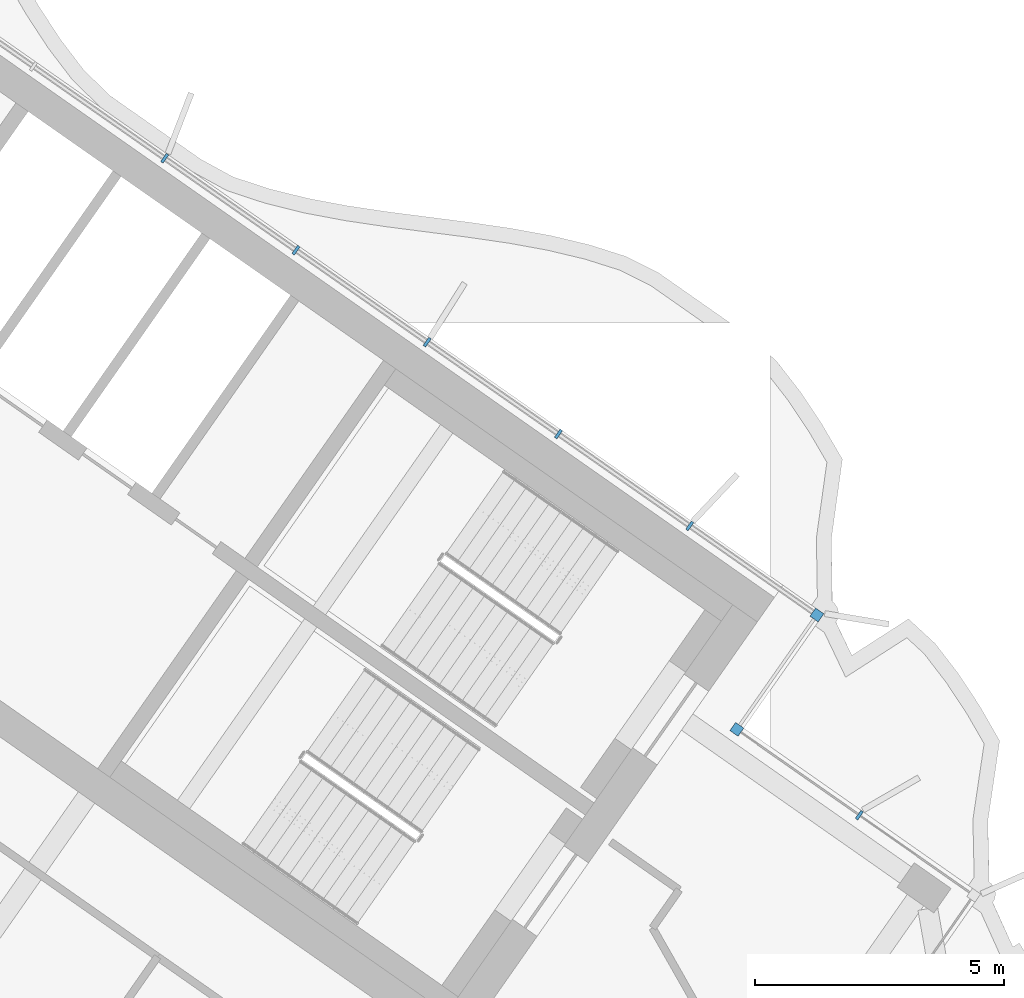
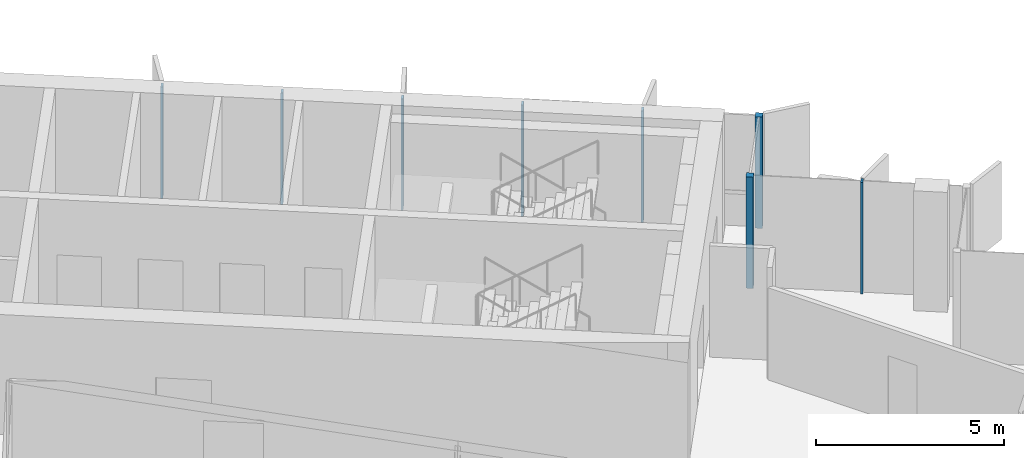
# One storey, part 6 of 19: 8 members, 2 elements without a shape of their own.
"""IFC4 building model written with IfcOpenShell, lengths in metres."""

from ifc_helpers import new_model, si_unit, direction, frame, origin, origin_2d, place, context, subcontext, project, spatial, rectangle, extrude, material, material_profile, profile_set, type_object, element, aggregate, save


model = new_model("IFC4")

# Units and contexts
model_context = context("Model", 3, precision=1e-05, world=origin(), true_north=direction((0.0, 1.0)))
body_context = subcontext(model_context, "Body", "Model", "MODEL_VIEW")
ifc_project = project(units=[si_unit("LENGTHUNIT", "METRE"), si_unit("AREAUNIT", "SQUARE_METRE"), si_unit("VOLUMEUNIT", "CUBIC_METRE"), si_unit("PLANEANGLEUNIT", "RADIAN"), si_unit("MASSUNIT", "GRAM", prefix="KILO")], contexts=[model_context])

# Site, building, storey
site_placement = place(None, origin())
site = spatial("IfcSite", under=ifc_project, at=site_placement, CompositionType="ELEMENT")
building_placement = place(site_placement, origin())
building = spatial("IfcBuilding", under=site, at=building_placement, Name="Tel Ilan Convention Tower", CompositionType="ELEMENT")
storey_placement = place(building_placement, frame((0.0, 0.0, 241.0)))
storey = spatial("IfcBuildingStorey", under=building, at=storey_placement, Name="L56", CompositionType="ELEMENT", Elevation=241.0)

# Curtain wall, members
ifc_material_1 = material(Name="Aluminium, bronze anodised", Category="aluminium")
curtain_wall_type_1 = type_object("IfcCurtainWallType", Name="CW2 STICK CURTAIN WALL, SPANDREL PANELS", PredefinedType="NOTDEFINED", material=ifc_material_1)
curtain_wall_1_placement = place(storey_placement, origin())
curtain_wall_1 = element("IfcCurtainWall", 1, at=curtain_wall_1_placement, inside=storey, type_object=curtain_wall_type_1, Name="Curtain wall CW2-43.01", PredefinedType="NOTDEFINED")
ifc_material_2 = material(Name="Aluminium, bronze anodised", Category="aluminium")
ifc_material_profile_1 = material_profile(ifc_material_2, rectangle(XDim=0.199951171875, YDim=0.199951171875, at=origin_2d()), Name="CW CORNER MULLION 200x200")
ifc_profile_set_1 = profile_set([ifc_material_profile_1], Name="Aluminium, bronze anodised")
member_type_1 = type_object("IfcMemberType", Name="CW CORNER MULLION 200x200", PredefinedType="MULLION", material=ifc_profile_set_1)
member_1_placement = place(storey_placement, frame((27.213623046875, -9.77734375, 0.0), z_axis=(0.0, 0.0, 1.0), x_axis=(-0.819152044289, 0.573576436351, 0.0)))
member_1 = element("IfcMember", 2, at=member_1_placement, type_object=member_type_1, Name="Corner mullion", PredefinedType="MULLION", context=body_context, shape_type="SweptSolid", body=[
    extrude(rectangle(XDim=0.199951171875, YDim=0.199951171875, at=origin_2d()), origin(), (0.0, 0.0, 1.0), 3.6201171875),
])
member_2_placement = place(storey_placement, frame((28.819580078125, -7.483642578125, 0.0), z_axis=(0.0, 0.0, 1.0), x_axis=(0.573576436351, 0.819152044289, 0.0)))
member_2 = element("IfcMember", 3, at=member_2_placement, type_object=member_type_1, Name="Corner mullion", PredefinedType="MULLION", context=body_context, shape_type="SweptSolid", body=[
    extrude(rectangle(XDim=0.199951171875, YDim=0.199951171875, at=origin_2d()), origin(), (0.0, 0.0, 1.0), 3.6201171875),
])
ifc_material_3 = material(Name="Aluminium, bronze anodised", Category="aluminium")
ifc_material_profile_2 = material_profile(ifc_material_3, rectangle(XDim=0.06005859375, YDim=0.199951171875, at=origin_2d()), Name="CW MULLION 60x200")
ifc_profile_set_2 = profile_set([ifc_material_profile_2], Name="Aluminium, bronze anodised")
member_type_2 = type_object("IfcMemberType", Name="CW MULLION 60x200", PredefinedType="MULLION", material=ifc_profile_set_2)
member_3_placement = place(storey_placement, frame((26.268798828125, -5.697509765625, 0.0), z_axis=(0.0, 0.0, 1.0), x_axis=(-0.819152044289, 0.573576436351, 0.0)))
member_3 = element("IfcMember", 4, at=member_3_placement, type_object=member_type_2, Name="Mullion", PredefinedType="MULLION", context=body_context, shape_type="SweptSolid", body=[
    extrude(rectangle(XDim=0.06005859375, YDim=0.199951171875, at=origin_2d()), origin(), (0.0, 0.0, 1.0), 3.6201171875),
])
member_4_placement = place(storey_placement, frame((23.63623046875, -3.854248046875, 0.0), z_axis=(0.0, 0.0, 1.0), x_axis=(-0.819152044289, 0.573576436351, 0.0)))
member_4 = element("IfcMember", 5, at=member_4_placement, type_object=member_type_2, Name="Mullion", PredefinedType="MULLION", context=body_context, shape_type="SweptSolid", body=[
    extrude(rectangle(XDim=0.06005859375, YDim=0.199951171875, at=origin_2d()), origin(), (0.0, 0.0, 1.0), 3.6201171875),
])
member_5_placement = place(storey_placement, frame((21.003662109375, -2.0107421875, 0.0), z_axis=(0.0, 0.0, 1.0), x_axis=(-0.819152044289, 0.573576436351, 0.0)))
member_5 = element("IfcMember", 6, at=member_5_placement, type_object=member_type_2, Name="Mullion", PredefinedType="MULLION", context=body_context, shape_type="SweptSolid", body=[
    extrude(rectangle(XDim=0.06005859375, YDim=0.199951171875, at=origin_2d()), origin(), (0.0, 0.0, 1.0), 3.6201171875),
])
member_6_placement = place(storey_placement, frame((18.37109375, -0.16748046875, 0.0), z_axis=(0.0, 0.0, 1.0), x_axis=(-0.819152044289, 0.573576436351, 0.0)))
member_6 = element("IfcMember", 7, at=member_6_placement, type_object=member_type_2, Name="Mullion", PredefinedType="MULLION", context=body_context, shape_type="SweptSolid", body=[
    extrude(rectangle(XDim=0.06005859375, YDim=0.199951171875, at=origin_2d()), origin(), (0.0, 0.0, 1.0), 3.6201171875),
])
member_7_placement = place(storey_placement, frame((15.73828125, 1.676025390625, 0.0), z_axis=(0.0, 0.0, 1.0), x_axis=(-0.819152044289, 0.573576436351, 0.0)))
member_7 = element("IfcMember", 8, at=member_7_placement, type_object=member_type_2, Name="Mullion", PredefinedType="MULLION", context=body_context, shape_type="SweptSolid", body=[
    extrude(rectangle(XDim=0.06005859375, YDim=0.199951171875, at=origin_2d()), origin(), (0.0, 0.0, 1.0), 3.6201171875),
])
aggregate(curtain_wall_1, [member_1, member_2, member_3, member_4, member_5, member_6, member_7])

# Curtain wall, member
ifc_material_4 = material(Name="Aluminium, bronze anodised", Category="aluminium")
curtain_wall_type_2 = type_object("IfcCurtainWallType", Name="CW5 STICK CURTAIN WALL, UPPER OFFICE LOW-IRON TINTED GLASS", PredefinedType="NOTDEFINED", material=ifc_material_4)
curtain_wall_2_placement = place(storey_placement, origin())
curtain_wall_2 = element("IfcCurtainWall", 9, at=curtain_wall_2_placement, inside=storey, type_object=curtain_wall_type_2, Name="Curtain wall CW5-43.02", PredefinedType="NOTDEFINED")
member_8_placement = place(storey_placement, frame((29.6708984375, -11.498046875, 0.0), z_axis=(0.0, 0.0, 1.0), x_axis=(-0.819152044289, 0.573576436351, 0.0)))
member_8 = element("IfcMember", 10, at=member_8_placement, type_object=member_type_2, Name="Mullion", PredefinedType="MULLION", context=body_context, shape_type="SweptSolid", body=[
    extrude(rectangle(XDim=0.06005859375, YDim=0.199951171875, at=origin_2d()), origin(), (0.0, 0.0, 1.0), 3.6201171875),
])
aggregate(curtain_wall_2, [member_8])

save(model, "model.ifc")
